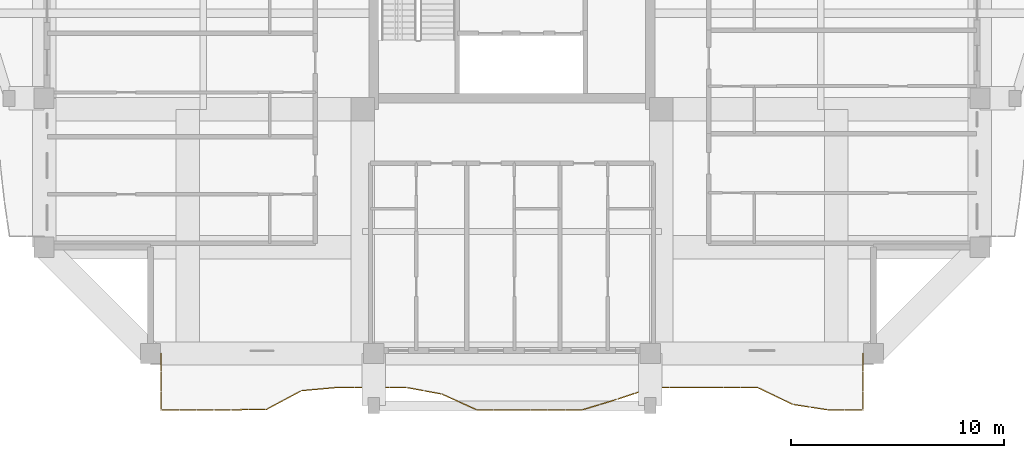
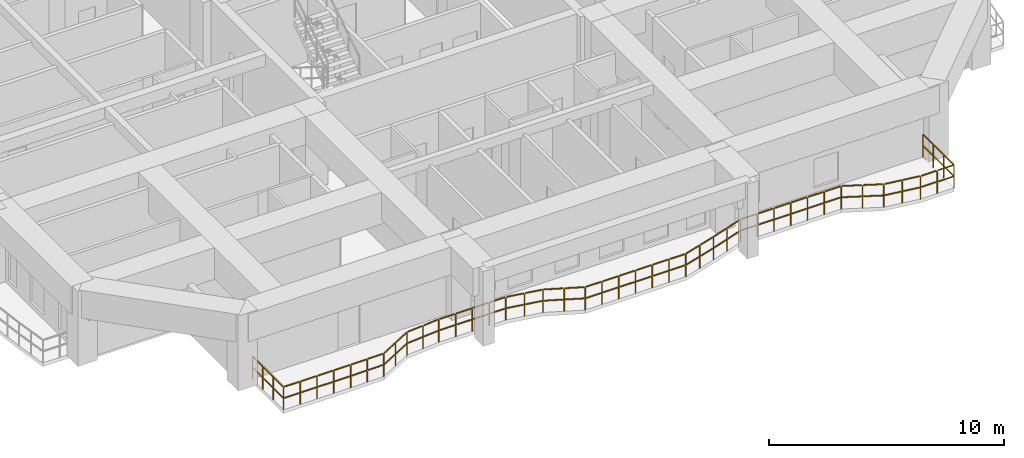
# One storey, part 11 of 15: 1 railing.
"""IFC4 building model written with IfcOpenShell, lengths in metres."""

from ifc_helpers import new_model, si_unit, direction, frame, origin, origin_2d, place, context, subcontext, project, spatial, rectangle, extrude, material, type_object, element, save


model = new_model("IFC4")

# Units and contexts
model_context = context("Model", 3, precision=1e-05, world=origin(), true_north=direction((0.0, 1.0)))
body_context = subcontext(model_context, "Body", "Model", "MODEL_VIEW")
ifc_project = project(units=[si_unit("LENGTHUNIT", "METRE"), si_unit("AREAUNIT", "SQUARE_METRE"), si_unit("VOLUMEUNIT", "CUBIC_METRE"), si_unit("PLANEANGLEUNIT", "RADIAN"), si_unit("MASSUNIT", "GRAM", prefix="KILO")], contexts=[model_context])

# Site, building, storey
site_placement = place(None, origin())
site = spatial("IfcSite", under=ifc_project, at=site_placement, CompositionType="ELEMENT")
building_placement = place(site_placement, origin())
building = spatial("IfcBuilding", under=site, at=building_placement, Name="Saelheon Loggia Tower", CompositionType="ELEMENT")
storey_placement = place(building_placement, frame((0.0, 0.0, 169.0)))
storey = spatial("IfcBuildingStorey", under=building, at=storey_placement, Name="L53", CompositionType="ELEMENT", Elevation=169.0)

# Railing
ifc_material = material(Name="Architectural Precast Concrete and Laminated Glass Guard", Category="concrete")
railing_type = type_object("IfcRailingType", Name="Guard_Loggia_RL_LOG", PredefinedType="BALUSTRADE", material=ifc_material)
railing_placement = place(storey_placement, frame((21.5, 6.0, 0.0)))
element("IfcRailing", 1, at=railing_placement, inside=storey, type_object=railing_type, Name="L53 South Loggia Balustrade", PredefinedType="BALUSTRADE", context=body_context, shape_type="SweptSolid", body=[
    extrude(rectangle(XDim=0.048095703125, YDim=0.048095703125, at=origin_2d()), frame((0.0, -0.033203125, 1.19580078125), z_axis=(0.0, -1.0, 0.0), x_axis=(1.0, 0.0, 0.0)), (0.0, 0.0, 1.0), 0.81689453125),
    extrude(rectangle(XDim=0.048095703125, YDim=0.048095703125, at=origin_2d()), frame((0.0, -0.033203125, 0.60986328125), z_axis=(0.0, -1.0, 0.0), x_axis=(1.0, 0.0, 0.0)), (0.0, 0.0, 1.0), 0.81689453125),
    extrude(rectangle(XDim=0.048095703125, YDim=0.048095703125, at=origin_2d()), frame((0.0, -0.91650390625, 1.19580078125), z_axis=(0.0, -1.0, 0.0), x_axis=(1.0, 0.0, 0.0)), (0.0, 0.0, 1.0), 0.81689453125),
    extrude(rectangle(XDim=0.048095703125, YDim=0.048095703125, at=origin_2d()), frame((0.0, -0.91650390625, 0.60986328125), z_axis=(0.0, -1.0, 0.0), x_axis=(1.0, 0.0, 0.0)), (0.0, 0.0, 1.0), 0.81689453125),
    extrude(rectangle(XDim=0.048095703125, YDim=0.048095703125, at=origin_2d()), frame((0.0, -1.7998046875, 1.19580078125), z_axis=(0.0, -1.0, 0.0), x_axis=(1.0, 0.0, 0.0)), (0.0, 0.0, 1.0), 0.81689453125),
    extrude(rectangle(XDim=0.048095703125, YDim=0.048095703125, at=origin_2d()), frame((0.0, -1.7998046875, 0.60986328125), z_axis=(0.0, -1.0, 0.0), x_axis=(1.0, 0.0, 0.0)), (0.0, 0.0, 1.0), 0.81689453125),
    extrude(rectangle(XDim=0.048095703125, YDim=0.048095703125, at=origin_2d()), frame((0.033203125, -2.64990234375, 1.19580078125), z_axis=(1.0, 0.0, 0.0), x_axis=(0.0, 1.0, 0.0)), (0.0, 0.0, 1.0), 0.758544921875),
    extrude(rectangle(XDim=0.048095703125, YDim=0.048095703125, at=origin_2d()), frame((0.033203125, -2.64990234375, 0.60986328125), z_axis=(1.0, 0.0, 0.0), x_axis=(0.0, 1.0, 0.0)), (0.0, 0.0, 1.0), 0.758544921875),
    extrude(rectangle(XDim=0.048095703125, YDim=0.048095703125, at=origin_2d()), frame((0.858154296875, -2.64990234375, 1.19580078125), z_axis=(1.0, 0.0, 0.0), x_axis=(0.0, 1.0, 0.0)), (0.0, 0.0, 1.0), 0.758544921875),
    extrude(rectangle(XDim=0.048095703125, YDim=0.048095703125, at=origin_2d()), frame((0.858154296875, -2.64990234375, 0.60986328125), z_axis=(1.0, 0.0, 0.0), x_axis=(0.0, 1.0, 0.0)), (0.0, 0.0, 1.0), 0.758544921875),
    extrude(rectangle(XDim=0.048095703125, YDim=0.048095703125, at=origin_2d()), frame((1.68310546875, -2.64990234375, 1.19580078125), z_axis=(1.0, 0.0, 0.0), x_axis=(0.0, 1.0, 0.0)), (0.0, 0.0, 1.0), 0.758544921875),
    extrude(rectangle(XDim=0.048095703125, YDim=0.048095703125, at=origin_2d()), frame((1.68310546875, -2.64990234375, 0.60986328125), z_axis=(1.0, 0.0, 0.0), x_axis=(0.0, 1.0, 0.0)), (0.0, 0.0, 1.0), 0.758544921875),
    extrude(rectangle(XDim=0.048095703125, YDim=0.048095703125, at=origin_2d()), frame((2.50830078125, -2.64990234375, 1.19580078125), z_axis=(1.0, 0.0, 0.0), x_axis=(0.0, 1.0, 0.0)), (0.0, 0.0, 1.0), 0.758544921875),
    extrude(rectangle(XDim=0.048095703125, YDim=0.048095703125, at=origin_2d()), frame((2.50830078125, -2.64990234375, 0.60986328125), z_axis=(1.0, 0.0, 0.0), x_axis=(0.0, 1.0, 0.0)), (0.0, 0.0, 1.0), 0.758544921875),
    extrude(rectangle(XDim=0.048095703125, YDim=0.048095703125, at=origin_2d()), frame((3.333251953125, -2.6494140625, 1.19580078125), z_axis=(0.999917145108, 0.012872564609, 0.0), x_axis=(-0.012872564609, 0.999917145108, 0.0)), (0.0, 0.0, 1.0), 0.758544921875),
    extrude(rectangle(XDim=0.048095703125, YDim=0.048095703125, at=origin_2d()), frame((3.333251953125, -2.6494140625, 0.60986328125), z_axis=(0.999917145108, 0.012872564609, 0.0), x_axis=(-0.012872564609, 0.999917145108, 0.0)), (0.0, 0.0, 1.0), 0.758544921875),
    extrude(rectangle(XDim=0.048095703125, YDim=0.048095703125, at=origin_2d()), frame((4.158203125, -2.638916015625, 1.19580078125), z_axis=(0.999917145108, 0.012872564609, 0.0), x_axis=(-0.012872564609, 0.999917145108, 0.0)), (0.0, 0.0, 1.0), 0.758544921875),
    extrude(rectangle(XDim=0.048095703125, YDim=0.048095703125, at=origin_2d()), frame((4.158203125, -2.638916015625, 0.60986328125), z_axis=(0.999917145108, 0.012872564609, 0.0), x_axis=(-0.012872564609, 0.999917145108, 0.0)), (0.0, 0.0, 1.0), 0.758544921875),
    extrude(rectangle(XDim=0.048095703125, YDim=0.048095703125, at=origin_2d()), frame((4.979248046875, -2.613037109375, 1.19580078125), z_axis=(0.882287890953, 0.470710184166, 0.0), x_axis=(-0.470710184166, 0.882287890953, 0.0)), (0.0, 0.0, 1.0), 0.86865234375),
    extrude(rectangle(XDim=0.048095703125, YDim=0.048095703125, at=origin_2d()), frame((4.979248046875, -2.613037109375, 0.60986328125), z_axis=(0.882287890953, 0.470710184166, 0.0), x_axis=(-0.470710184166, 0.882287890953, 0.0)), (0.0, 0.0, 1.0), 0.86865234375),
    extrude(rectangle(XDim=0.048095703125, YDim=0.048095703125, at=origin_2d()), frame((5.804443359375, -2.1728515625, 1.19580078125), z_axis=(0.882287890953, 0.470710184166, 0.0), x_axis=(-0.470710184166, 0.882287890953, 0.0)), (0.0, 0.0, 1.0), 0.86865234375),
    extrude(rectangle(XDim=0.048095703125, YDim=0.048095703125, at=origin_2d()), frame((5.804443359375, -2.1728515625, 0.60986328125), z_axis=(0.882287890953, 0.470710184166, 0.0), x_axis=(-0.470710184166, 0.882287890953, 0.0)), (0.0, 0.0, 1.0), 0.86865234375),
    extrude(rectangle(XDim=0.048095703125, YDim=0.048095703125, at=origin_2d()), frame((6.63330078125, -1.745361328125, 1.19580078125), z_axis=(0.995990475116, 0.089459339804, 0.0), x_axis=(-0.089459339804, 0.995990475116, 0.0)), (0.0, 0.0, 1.0), 0.76171875),
    extrude(rectangle(XDim=0.048095703125, YDim=0.048095703125, at=origin_2d()), frame((6.63330078125, -1.745361328125, 0.60986328125), z_axis=(0.995990475116, 0.089459339804, 0.0), x_axis=(-0.089459339804, 0.995990475116, 0.0)), (0.0, 0.0, 1.0), 0.76171875),
    extrude(rectangle(XDim=0.048095703125, YDim=0.048095703125, at=origin_2d()), frame((7.458251953125, -1.671142578125, 1.19580078125), z_axis=(0.995990475116, 0.089459339804, 0.0), x_axis=(-0.089459339804, 0.995990475116, 0.0)), (0.0, 0.0, 1.0), 0.76171875),
    extrude(rectangle(XDim=0.048095703125, YDim=0.048095703125, at=origin_2d()), frame((7.458251953125, -1.671142578125, 0.60986328125), z_axis=(0.995990475116, 0.089459339804, 0.0), x_axis=(-0.089459339804, 0.995990475116, 0.0)), (0.0, 0.0, 1.0), 0.76171875),
    extrude(rectangle(XDim=0.048095703125, YDim=0.048095703125, at=origin_2d()), frame((8.283203125, -1.60009765625, 1.19580078125), z_axis=(1.0, 0.0, 0.0), x_axis=(0.0, 1.0, 0.0)), (0.0, 0.0, 1.0), 0.758544921875),
    extrude(rectangle(XDim=0.048095703125, YDim=0.048095703125, at=origin_2d()), frame((8.283203125, -1.60009765625, 0.60986328125), z_axis=(1.0, 0.0, 0.0), x_axis=(0.0, 1.0, 0.0)), (0.0, 0.0, 1.0), 0.758544921875),
    extrude(rectangle(XDim=0.048095703125, YDim=0.048095703125, at=origin_2d()), frame((9.108154296875, -1.60009765625, 1.19580078125), z_axis=(1.0, 0.0, 0.0), x_axis=(0.0, 1.0, 0.0)), (0.0, 0.0, 1.0), 0.758544921875),
    extrude(rectangle(XDim=0.048095703125, YDim=0.048095703125, at=origin_2d()), frame((9.108154296875, -1.60009765625, 0.60986328125), z_axis=(1.0, 0.0, 0.0), x_axis=(0.0, 1.0, 0.0)), (0.0, 0.0, 1.0), 0.758544921875),
    extrude(rectangle(XDim=0.048095703125, YDim=0.048095703125, at=origin_2d()), frame((9.93310546875, -1.60009765625, 1.19580078125), z_axis=(1.0, 0.0, 0.0), x_axis=(0.0, 1.0, 0.0)), (0.0, 0.0, 1.0), 0.758544921875),
    extrude(rectangle(XDim=0.048095703125, YDim=0.048095703125, at=origin_2d()), frame((9.93310546875, -1.60009765625, 0.60986328125), z_axis=(1.0, 0.0, 0.0), x_axis=(0.0, 1.0, 0.0)), (0.0, 0.0, 1.0), 0.758544921875),
    extrude(rectangle(XDim=0.048095703125, YDim=0.048095703125, at=origin_2d()), frame((10.75830078125, -1.60009765625, 1.19580078125), z_axis=(1.0, 0.0, 0.0), x_axis=(0.0, 1.0, 0.0)), (0.0, 0.0, 1.0), 0.758544921875),
    extrude(rectangle(XDim=0.048095703125, YDim=0.048095703125, at=origin_2d()), frame((10.75830078125, -1.60009765625, 0.60986328125), z_axis=(1.0, 0.0, 0.0), x_axis=(0.0, 1.0, 0.0)), (0.0, 0.0, 1.0), 0.758544921875),
    extrude(rectangle(XDim=0.048095703125, YDim=0.048095703125, at=origin_2d()), frame((11.582763671875, -1.606201171875, 1.19580078125), z_axis=(0.983164102329, -0.182724787293, 0.0), x_axis=(0.182724787293, 0.983164102329, 0.0)), (0.0, 0.0, 1.0), 0.772705078125),
    extrude(rectangle(XDim=0.048095703125, YDim=0.048095703125, at=origin_2d()), frame((11.582763671875, -1.606201171875, 0.60986328125), z_axis=(0.983164102329, -0.182724787293, 0.0), x_axis=(0.182724787293, 0.983164102329, 0.0)), (0.0, 0.0, 1.0), 0.772705078125),
    extrude(rectangle(XDim=0.048095703125, YDim=0.048095703125, at=origin_2d()), frame((12.40771484375, -1.759521484375, 1.19580078125), z_axis=(0.983164102329, -0.182724787293, 0.0), x_axis=(0.182724787293, 0.983164102329, 0.0)), (0.0, 0.0, 1.0), 0.772705078125),
    extrude(rectangle(XDim=0.048095703125, YDim=0.048095703125, at=origin_2d()), frame((12.40771484375, -1.759521484375, 0.60986328125), z_axis=(0.983164102329, -0.182724787293, 0.0), x_axis=(0.182724787293, 0.983164102329, 0.0)), (0.0, 0.0, 1.0), 0.772705078125),
    extrude(rectangle(XDim=0.048095703125, YDim=0.048095703125, at=origin_2d()), frame((13.230224609375, -1.92041015625, 1.19580078125), z_axis=(0.911797780873, -0.41063950954, 0.0), x_axis=(0.41063950954, 0.911797780873, 0.0)), (0.0, 0.0, 1.0), 0.83837890625),
    extrude(rectangle(XDim=0.048095703125, YDim=0.048095703125, at=origin_2d()), frame((13.230224609375, -1.92041015625, 0.60986328125), z_axis=(0.911797780873, -0.41063950954, 0.0), x_axis=(0.41063950954, 0.911797780873, 0.0)), (0.0, 0.0, 1.0), 0.83837890625),
    extrude(rectangle(XDim=0.048095703125, YDim=0.048095703125, at=origin_2d()), frame((14.055419921875, -2.2919921875, 1.19580078125), z_axis=(0.911797780873, -0.41063950954, 0.0), x_axis=(0.41063950954, 0.911797780873, 0.0)), (0.0, 0.0, 1.0), 0.83837890625),
    extrude(rectangle(XDim=0.048095703125, YDim=0.048095703125, at=origin_2d()), frame((14.055419921875, -2.2919921875, 0.60986328125), z_axis=(0.911797780873, -0.41063950954, 0.0), x_axis=(0.41063950954, 0.911797780873, 0.0)), (0.0, 0.0, 1.0), 0.83837890625),
    extrude(rectangle(XDim=0.048095703125, YDim=0.048095703125, at=origin_2d()), frame((14.88330078125, -2.64990234375, 1.19580078125), z_axis=(1.0, 0.0, 0.0), x_axis=(0.0, 1.0, 0.0)), (0.0, 0.0, 1.0), 0.758544921875),
    extrude(rectangle(XDim=0.048095703125, YDim=0.048095703125, at=origin_2d()), frame((14.88330078125, -2.64990234375, 0.60986328125), z_axis=(1.0, 0.0, 0.0), x_axis=(0.0, 1.0, 0.0)), (0.0, 0.0, 1.0), 0.758544921875),
    extrude(rectangle(XDim=0.048095703125, YDim=0.048095703125, at=origin_2d()), frame((15.708251953125, -2.64990234375, 1.19580078125), z_axis=(1.0, 0.0, 0.0), x_axis=(0.0, 1.0, 0.0)), (0.0, 0.0, 1.0), 0.758544921875),
    extrude(rectangle(XDim=0.048095703125, YDim=0.048095703125, at=origin_2d()), frame((15.708251953125, -2.64990234375, 0.60986328125), z_axis=(1.0, 0.0, 0.0), x_axis=(0.0, 1.0, 0.0)), (0.0, 0.0, 1.0), 0.758544921875),
    extrude(rectangle(XDim=0.048095703125, YDim=0.048095703125, at=origin_2d()), frame((16.533203125, -2.64990234375, 1.19580078125), z_axis=(1.0, 0.0, 0.0), x_axis=(0.0, 1.0, 0.0)), (0.0, 0.0, 1.0), 0.758544921875),
    extrude(rectangle(XDim=0.048095703125, YDim=0.048095703125, at=origin_2d()), frame((16.533203125, -2.64990234375, 0.60986328125), z_axis=(1.0, 0.0, 0.0), x_axis=(0.0, 1.0, 0.0)), (0.0, 0.0, 1.0), 0.758544921875),
    extrude(rectangle(XDim=0.048095703125, YDim=0.048095703125, at=origin_2d()), frame((17.358154296875, -2.64990234375, 1.19580078125), z_axis=(1.0, 0.0, 0.0), x_axis=(0.0, 1.0, 0.0)), (0.0, 0.0, 1.0), 0.758544921875),
    extrude(rectangle(XDim=0.048095703125, YDim=0.048095703125, at=origin_2d()), frame((17.358154296875, -2.64990234375, 0.60986328125), z_axis=(1.0, 0.0, 0.0), x_axis=(0.0, 1.0, 0.0)), (0.0, 0.0, 1.0), 0.758544921875),
    extrude(rectangle(XDim=0.048095703125, YDim=0.048095703125, at=origin_2d()), frame((18.18310546875, -2.64990234375, 1.19580078125), z_axis=(1.0, 0.0, 0.0), x_axis=(0.0, 1.0, 0.0)), (0.0, 0.0, 1.0), 0.758544921875),
    extrude(rectangle(XDim=0.048095703125, YDim=0.048095703125, at=origin_2d()), frame((18.18310546875, -2.64990234375, 0.60986328125), z_axis=(1.0, 0.0, 0.0), x_axis=(0.0, 1.0, 0.0)), (0.0, 0.0, 1.0), 0.758544921875),
    extrude(rectangle(XDim=0.048095703125, YDim=0.048095703125, at=origin_2d()), frame((19.00830078125, -2.64990234375, 1.19580078125), z_axis=(1.0, 0.0, 0.0), x_axis=(0.0, 1.0, 0.0)), (0.0, 0.0, 1.0), 0.758544921875),
    extrude(rectangle(XDim=0.048095703125, YDim=0.048095703125, at=origin_2d()), frame((19.00830078125, -2.64990234375, 0.60986328125), z_axis=(1.0, 0.0, 0.0), x_axis=(0.0, 1.0, 0.0)), (0.0, 0.0, 1.0), 0.758544921875),
    extrude(rectangle(XDim=0.048095703125, YDim=0.048095703125, at=origin_2d()), frame((19.831787109375, -2.640380859375, 1.19580078125), z_axis=(0.957019640205, 0.290023116771, 0.0), x_axis=(-0.290023116771, 0.957019640205, 0.0)), (0.0, 0.0, 1.0), 0.79541015625),
    extrude(rectangle(XDim=0.048095703125, YDim=0.048095703125, at=origin_2d()), frame((19.831787109375, -2.640380859375, 0.60986328125), z_axis=(0.957019640205, 0.290023116771, 0.0), x_axis=(-0.290023116771, 0.957019640205, 0.0)), (0.0, 0.0, 1.0), 0.79541015625),
    extrude(rectangle(XDim=0.048095703125, YDim=0.048095703125, at=origin_2d()), frame((20.65673828125, -2.390380859375, 1.19580078125), z_axis=(0.957019640205, 0.290023116771, 0.0), x_axis=(-0.290023116771, 0.957019640205, 0.0)), (0.0, 0.0, 1.0), 0.79541015625),
    extrude(rectangle(XDim=0.048095703125, YDim=0.048095703125, at=origin_2d()), frame((20.65673828125, -2.390380859375, 0.60986328125), z_axis=(0.957019640205, 0.290023116771, 0.0), x_axis=(-0.290023116771, 0.957019640205, 0.0)), (0.0, 0.0, 1.0), 0.79541015625),
    extrude(rectangle(XDim=0.048095703125, YDim=0.048095703125, at=origin_2d()), frame((21.4814453125, -2.139404296875, 1.19580078125), z_axis=(0.948725399067, 0.316101434931, 0.0), x_axis=(-0.316101434931, 0.948725399067, 0.0)), (0.0, 0.0, 1.0), 0.80322265625),
    extrude(rectangle(XDim=0.048095703125, YDim=0.048095703125, at=origin_2d()), frame((21.4814453125, -2.139404296875, 0.60986328125), z_axis=(0.948725399067, 0.316101434931, 0.0), x_axis=(-0.316101434931, 0.948725399067, 0.0)), (0.0, 0.0, 1.0), 0.80322265625),
    extrude(rectangle(XDim=0.048095703125, YDim=0.048095703125, at=origin_2d()), frame((22.306640625, -1.864501953125, 1.19580078125), z_axis=(0.948725399067, 0.316101434931, 0.0), x_axis=(-0.316101434931, 0.948725399067, 0.0)), (0.0, 0.0, 1.0), 0.80322265625),
    extrude(rectangle(XDim=0.048095703125, YDim=0.048095703125, at=origin_2d()), frame((22.306640625, -1.864501953125, 0.60986328125), z_axis=(0.948725399067, 0.316101434931, 0.0), x_axis=(-0.316101434931, 0.948725399067, 0.0)), (0.0, 0.0, 1.0), 0.80322265625),
    extrude(rectangle(XDim=0.048095703125, YDim=0.048095703125, at=origin_2d()), frame((23.13330078125, -1.60009765625, 1.19580078125), z_axis=(1.0, 0.0, 0.0), x_axis=(0.0, 1.0, 0.0)), (0.0, 0.0, 1.0), 0.758544921875),
    extrude(rectangle(XDim=0.048095703125, YDim=0.048095703125, at=origin_2d()), frame((23.13330078125, -1.60009765625, 0.60986328125), z_axis=(1.0, 0.0, 0.0), x_axis=(0.0, 1.0, 0.0)), (0.0, 0.0, 1.0), 0.758544921875),
    extrude(rectangle(XDim=0.048095703125, YDim=0.048095703125, at=origin_2d()), frame((23.958251953125, -1.60009765625, 1.19580078125), z_axis=(1.0, 0.0, 0.0), x_axis=(0.0, 1.0, 0.0)), (0.0, 0.0, 1.0), 0.758544921875),
    extrude(rectangle(XDim=0.048095703125, YDim=0.048095703125, at=origin_2d()), frame((23.958251953125, -1.60009765625, 0.60986328125), z_axis=(1.0, 0.0, 0.0), x_axis=(0.0, 1.0, 0.0)), (0.0, 0.0, 1.0), 0.758544921875),
    extrude(rectangle(XDim=0.048095703125, YDim=0.048095703125, at=origin_2d()), frame((24.783203125, -1.60009765625, 1.19580078125), z_axis=(1.0, 0.0, 0.0), x_axis=(0.0, 1.0, 0.0)), (0.0, 0.0, 1.0), 0.758544921875),
    extrude(rectangle(XDim=0.048095703125, YDim=0.048095703125, at=origin_2d()), frame((24.783203125, -1.60009765625, 0.60986328125), z_axis=(1.0, 0.0, 0.0), x_axis=(0.0, 1.0, 0.0)), (0.0, 0.0, 1.0), 0.758544921875),
    extrude(rectangle(XDim=0.048095703125, YDim=0.048095703125, at=origin_2d()), frame((25.608154296875, -1.60009765625, 1.19580078125), z_axis=(1.0, 0.0, 0.0), x_axis=(0.0, 1.0, 0.0)), (0.0, 0.0, 1.0), 0.758544921875),
    extrude(rectangle(XDim=0.048095703125, YDim=0.048095703125, at=origin_2d()), frame((25.608154296875, -1.60009765625, 0.60986328125), z_axis=(1.0, 0.0, 0.0), x_axis=(0.0, 1.0, 0.0)), (0.0, 0.0, 1.0), 0.758544921875),
    extrude(rectangle(XDim=0.048095703125, YDim=0.048095703125, at=origin_2d()), frame((26.43310546875, -1.60009765625, 1.19580078125), z_axis=(1.0, 0.0, 0.0), x_axis=(0.0, 1.0, 0.0)), (0.0, 0.0, 1.0), 0.758544921875),
    extrude(rectangle(XDim=0.048095703125, YDim=0.048095703125, at=origin_2d()), frame((26.43310546875, -1.60009765625, 0.60986328125), z_axis=(1.0, 0.0, 0.0), x_axis=(0.0, 1.0, 0.0)), (0.0, 0.0, 1.0), 0.758544921875),
    extrude(rectangle(XDim=0.048095703125, YDim=0.048095703125, at=origin_2d()), frame((27.25830078125, -1.60009765625, 1.19580078125), z_axis=(1.0, 0.0, 0.0), x_axis=(0.0, 1.0, 0.0)), (0.0, 0.0, 1.0), 0.758544921875),
    extrude(rectangle(XDim=0.048095703125, YDim=0.048095703125, at=origin_2d()), frame((27.25830078125, -1.60009765625, 0.60986328125), z_axis=(1.0, 0.0, 0.0), x_axis=(0.0, 1.0, 0.0)), (0.0, 0.0, 1.0), 0.758544921875),
    extrude(rectangle(XDim=0.048095703125, YDim=0.048095703125, at=origin_2d()), frame((28.080078125, -1.614501953125, 1.19580078125), z_axis=(0.901254427536, -0.43329026858, 0.0), x_axis=(0.43329026858, 0.901254427536, 0.0)), (0.0, 0.0, 1.0), 0.848876953125),
    extrude(rectangle(XDim=0.048095703125, YDim=0.048095703125, at=origin_2d()), frame((28.080078125, -1.614501953125, 0.60986328125), z_axis=(0.901254427536, -0.43329026858, 0.0), x_axis=(0.43329026858, 0.901254427536, 0.0)), (0.0, 0.0, 1.0), 0.848876953125),
    extrude(rectangle(XDim=0.048095703125, YDim=0.048095703125, at=origin_2d()), frame((28.905029296875, -2.010986328125, 1.19580078125), z_axis=(0.901254427536, -0.43329026858, 0.0), x_axis=(0.43329026858, 0.901254427536, 0.0)), (0.0, 0.0, 1.0), 0.848876953125),
    extrude(rectangle(XDim=0.048095703125, YDim=0.048095703125, at=origin_2d()), frame((28.905029296875, -2.010986328125, 0.60986328125), z_axis=(0.901254427536, -0.43329026858, 0.0), x_axis=(0.43329026858, 0.901254427536, 0.0)), (0.0, 0.0, 1.0), 0.848876953125),
    extrude(rectangle(XDim=0.048095703125, YDim=0.048095703125, at=origin_2d()), frame((29.73291015625, -2.3984375, 1.19580078125), z_axis=(0.988125348909, -0.153649910002, 0.0), x_axis=(0.153649910002, 0.988125348909, 0.0)), (0.0, 0.0, 1.0), 0.7685546875),
    extrude(rectangle(XDim=0.048095703125, YDim=0.048095703125, at=origin_2d()), frame((29.73291015625, -2.3984375, 0.60986328125), z_axis=(0.988125348909, -0.153649910002, 0.0), x_axis=(0.153649910002, 0.988125348909, 0.0)), (0.0, 0.0, 1.0), 0.7685546875),
    extrude(rectangle(XDim=0.048095703125, YDim=0.048095703125, at=origin_2d()), frame((30.557861328125, -2.526611328125, 1.19580078125), z_axis=(0.988125348909, -0.153649910002, 0.0), x_axis=(0.153649910002, 0.988125348909, 0.0)), (0.0, 0.0, 1.0), 0.7685546875),
    extrude(rectangle(XDim=0.048095703125, YDim=0.048095703125, at=origin_2d()), frame((30.557861328125, -2.526611328125, 0.60986328125), z_axis=(0.988125348909, -0.153649910002, 0.0), x_axis=(0.153649910002, 0.988125348909, 0.0)), (0.0, 0.0, 1.0), 0.7685546875),
    extrude(rectangle(XDim=0.048095703125, YDim=0.048095703125, at=origin_2d()), frame((31.38330078125, -2.64990234375, 1.19580078125), z_axis=(1.0, 0.0, 0.0), x_axis=(0.0, 1.0, 0.0)), (0.0, 0.0, 1.0), 0.758544921875),
    extrude(rectangle(XDim=0.048095703125, YDim=0.048095703125, at=origin_2d()), frame((31.38330078125, -2.64990234375, 0.60986328125), z_axis=(1.0, 0.0, 0.0), x_axis=(0.0, 1.0, 0.0)), (0.0, 0.0, 1.0), 0.758544921875),
    extrude(rectangle(XDim=0.048095703125, YDim=0.048095703125, at=origin_2d()), frame((32.208251953125, -2.64990234375, 1.19580078125), z_axis=(1.0, 0.0, 0.0), x_axis=(0.0, 1.0, 0.0)), (0.0, 0.0, 1.0), 0.758544921875),
    extrude(rectangle(XDim=0.048095703125, YDim=0.048095703125, at=origin_2d()), frame((32.208251953125, -2.64990234375, 0.60986328125), z_axis=(1.0, 0.0, 0.0), x_axis=(0.0, 1.0, 0.0)), (0.0, 0.0, 1.0), 0.758544921875),
    extrude(rectangle(XDim=0.048095703125, YDim=0.048095703125, at=origin_2d()), frame((33.0, -2.61669921875, 1.19580078125), z_axis=(0.0, 1.0, 0.0), x_axis=(-1.0, 0.0, 0.0)), (0.0, 0.0, 1.0), 0.81689453125),
    extrude(rectangle(XDim=0.048095703125, YDim=0.048095703125, at=origin_2d()), frame((33.0, -2.61669921875, 0.60986328125), z_axis=(0.0, 1.0, 0.0), x_axis=(-1.0, 0.0, 0.0)), (0.0, 0.0, 1.0), 0.81689453125),
    extrude(rectangle(XDim=0.048095703125, YDim=0.048095703125, at=origin_2d()), frame((33.0, -1.7333984375, 1.19580078125), z_axis=(0.0, 1.0, 0.0), x_axis=(-1.0, 0.0, 0.0)), (0.0, 0.0, 1.0), 0.81689453125),
    extrude(rectangle(XDim=0.048095703125, YDim=0.048095703125, at=origin_2d()), frame((33.0, -1.7333984375, 0.60986328125), z_axis=(0.0, 1.0, 0.0), x_axis=(-1.0, 0.0, 0.0)), (0.0, 0.0, 1.0), 0.81689453125),
    extrude(rectangle(XDim=0.048095703125, YDim=0.048095703125, at=origin_2d()), frame((33.0, -0.85009765625, 1.19580078125), z_axis=(0.0, 1.0, 0.0), x_axis=(-1.0, 0.0, 0.0)), (0.0, 0.0, 1.0), 0.81689453125),
    extrude(rectangle(XDim=0.048095703125, YDim=0.048095703125, at=origin_2d()), frame((33.0, -0.85009765625, 0.60986328125), z_axis=(0.0, 1.0, 0.0), x_axis=(-1.0, 0.0, 0.0)), (0.0, 0.0, 1.0), 0.81689453125),
    extrude(rectangle(XDim=0.0419921875, YDim=0.0419921875, at=origin_2d()), origin(), (0.0, 0.0, 1.0), 1.16796875),
    extrude(rectangle(XDim=0.0419921875, YDim=0.0419921875, at=origin_2d()), frame((0.0, -0.88330078125, 0.0)), (0.0, 0.0, 1.0), 1.16796875),
    extrude(rectangle(XDim=0.0419921875, YDim=0.0419921875, at=origin_2d()), frame((0.0, -1.7666015625, 0.0)), (0.0, 0.0, 1.0), 1.16796875),
    extrude(rectangle(XDim=0.0419921875, YDim=0.0419921875, at=origin_2d()), frame((0.0, -2.64990234375, 0.0)), (0.0, 0.0, 1.0), 1.16796875),
    extrude(rectangle(XDim=0.0419921875, YDim=0.0419921875, at=origin_2d()), frame((0.824951171875, -2.64990234375, 0.0)), (0.0, 0.0, 1.0), 1.16796875),
    extrude(rectangle(XDim=0.0419921875, YDim=0.0419921875, at=origin_2d()), frame((1.64990234375, -2.64990234375, 0.0)), (0.0, 0.0, 1.0), 1.16796875),
    extrude(rectangle(XDim=0.0419921875, YDim=0.0419921875, at=origin_2d()), frame((2.47509765625, -2.64990234375, 0.0)), (0.0, 0.0, 1.0), 1.16796875),
    extrude(rectangle(XDim=0.0419921875, YDim=0.0419921875, at=origin_2d()), frame((3.300048828125, -2.64990234375, 0.0)), (0.0, 0.0, 1.0), 1.16796875),
    extrude(rectangle(XDim=0.0419921875, YDim=0.0419921875, at=origin_2d()), frame((4.125, -2.63916015625, 0.0)), (0.0, 0.0, 1.0), 1.16796875),
    extrude(rectangle(XDim=0.0419921875, YDim=0.0419921875, at=origin_2d()), frame((4.949951171875, -2.628662109375, 0.0)), (0.0, 0.0, 1.0), 1.16796875),
    extrude(rectangle(XDim=0.0419921875, YDim=0.0419921875, at=origin_2d()), frame((5.77490234375, -2.1884765625, 0.0)), (0.0, 0.0, 1.0), 1.16796875),
    extrude(rectangle(XDim=0.0419921875, YDim=0.0419921875, at=origin_2d()), frame((6.60009765625, -1.748291015625, 0.0)), (0.0, 0.0, 1.0), 1.16796875),
    extrude(rectangle(XDim=0.0419921875, YDim=0.0419921875, at=origin_2d()), frame((7.425048828125, -1.67431640625, 0.0)), (0.0, 0.0, 1.0), 1.16796875),
    extrude(rectangle(XDim=0.0419921875, YDim=0.0419921875, at=origin_2d()), frame((8.25, -1.60009765625, 0.0)), (0.0, 0.0, 1.0), 1.16796875),
    extrude(rectangle(XDim=0.0419921875, YDim=0.0419921875, at=origin_2d()), frame((9.074951171875, -1.60009765625, 0.0)), (0.0, 0.0, 1.0), 1.16796875),
    extrude(rectangle(XDim=0.0419921875, YDim=0.0419921875, at=origin_2d()), frame((9.89990234375, -1.60009765625, 0.0)), (0.0, 0.0, 1.0), 1.16796875),
    extrude(rectangle(XDim=0.0419921875, YDim=0.0419921875, at=origin_2d()), frame((10.72509765625, -1.60009765625, 0.0)), (0.0, 0.0, 1.0), 1.16796875),
    extrude(rectangle(XDim=0.0419921875, YDim=0.0419921875, at=origin_2d()), frame((11.550048828125, -1.60009765625, 0.0)), (0.0, 0.0, 1.0), 1.16796875),
    extrude(rectangle(XDim=0.0419921875, YDim=0.0419921875, at=origin_2d()), frame((12.375, -1.75341796875, 0.0)), (0.0, 0.0, 1.0), 1.16796875),
    extrude(rectangle(XDim=0.0419921875, YDim=0.0419921875, at=origin_2d()), frame((13.199951171875, -1.90673828125, 0.0)), (0.0, 0.0, 1.0), 1.16796875),
    extrude(rectangle(XDim=0.0419921875, YDim=0.0419921875, at=origin_2d()), frame((14.02490234375, -2.2783203125, 0.0)), (0.0, 0.0, 1.0), 1.16796875),
    extrude(rectangle(XDim=0.0419921875, YDim=0.0419921875, at=origin_2d()), frame((14.85009765625, -2.64990234375, 0.0)), (0.0, 0.0, 1.0), 1.16796875),
    extrude(rectangle(XDim=0.0419921875, YDim=0.0419921875, at=origin_2d()), frame((15.675048828125, -2.64990234375, 0.0)), (0.0, 0.0, 1.0), 1.16796875),
    extrude(rectangle(XDim=0.0419921875, YDim=0.0419921875, at=origin_2d()), frame((16.5, -2.64990234375, 0.0)), (0.0, 0.0, 1.0), 1.16796875),
    extrude(rectangle(XDim=0.0419921875, YDim=0.0419921875, at=origin_2d()), frame((17.324951171875, -2.64990234375, 0.0)), (0.0, 0.0, 1.0), 1.16796875),
    extrude(rectangle(XDim=0.0419921875, YDim=0.0419921875, at=origin_2d()), frame((18.14990234375, -2.64990234375, 0.0)), (0.0, 0.0, 1.0), 1.16796875),
    extrude(rectangle(XDim=0.0419921875, YDim=0.0419921875, at=origin_2d()), frame((18.97509765625, -2.64990234375, 0.0)), (0.0, 0.0, 1.0), 1.16796875),
    extrude(rectangle(XDim=0.0419921875, YDim=0.0419921875, at=origin_2d()), frame((19.800048828125, -2.64990234375, 0.0)), (0.0, 0.0, 1.0), 1.16796875),
    extrude(rectangle(XDim=0.0419921875, YDim=0.0419921875, at=origin_2d()), frame((20.625, -2.39990234375, 0.0)), (0.0, 0.0, 1.0), 1.16796875),
    extrude(rectangle(XDim=0.0419921875, YDim=0.0419921875, at=origin_2d()), frame((21.449951171875, -2.14990234375, 0.0)), (0.0, 0.0, 1.0), 1.16796875),
    extrude(rectangle(XDim=0.0419921875, YDim=0.0419921875, at=origin_2d()), frame((22.27490234375, -1.875, 0.0)), (0.0, 0.0, 1.0), 1.16796875),
    extrude(rectangle(XDim=0.0419921875, YDim=0.0419921875, at=origin_2d()), frame((23.10009765625, -1.60009765625, 0.0)), (0.0, 0.0, 1.0), 1.16796875),
    extrude(rectangle(XDim=0.0419921875, YDim=0.0419921875, at=origin_2d()), frame((23.925048828125, -1.60009765625, 0.0)), (0.0, 0.0, 1.0), 1.16796875),
    extrude(rectangle(XDim=0.0419921875, YDim=0.0419921875, at=origin_2d()), frame((24.75, -1.60009765625, 0.0)), (0.0, 0.0, 1.0), 1.16796875),
    extrude(rectangle(XDim=0.0419921875, YDim=0.0419921875, at=origin_2d()), frame((25.574951171875, -1.60009765625, 0.0)), (0.0, 0.0, 1.0), 1.16796875),
    extrude(rectangle(XDim=0.0419921875, YDim=0.0419921875, at=origin_2d()), frame((26.39990234375, -1.60009765625, 0.0)), (0.0, 0.0, 1.0), 1.16796875),
    extrude(rectangle(XDim=0.0419921875, YDim=0.0419921875, at=origin_2d()), frame((27.22509765625, -1.60009765625, 0.0)), (0.0, 0.0, 1.0), 1.16796875),
    extrude(rectangle(XDim=0.0419921875, YDim=0.0419921875, at=origin_2d()), frame((28.050048828125, -1.60009765625, 0.0)), (0.0, 0.0, 1.0), 1.16796875),
    extrude(rectangle(XDim=0.0419921875, YDim=0.0419921875, at=origin_2d()), frame((28.875, -1.99658203125, 0.0)), (0.0, 0.0, 1.0), 1.16796875),
    extrude(rectangle(XDim=0.0419921875, YDim=0.0419921875, at=origin_2d()), frame((29.699951171875, -2.393310546875, 0.0)), (0.0, 0.0, 1.0), 1.16796875),
    extrude(rectangle(XDim=0.0419921875, YDim=0.0419921875, at=origin_2d()), frame((30.52490234375, -2.521484375, 0.0)), (0.0, 0.0, 1.0), 1.16796875),
    extrude(rectangle(XDim=0.0419921875, YDim=0.0419921875, at=origin_2d()), frame((31.35009765625, -2.64990234375, 0.0)), (0.0, 0.0, 1.0), 1.16796875),
    extrude(rectangle(XDim=0.0419921875, YDim=0.0419921875, at=origin_2d()), frame((32.175048828125, -2.64990234375, 0.0)), (0.0, 0.0, 1.0), 1.16796875),
    extrude(rectangle(XDim=0.0419921875, YDim=0.0419921875, at=origin_2d()), frame((33.0, -2.64990234375, 0.0)), (0.0, 0.0, 1.0), 1.16796875),
    extrude(rectangle(XDim=0.0419921875, YDim=0.0419921875, at=origin_2d()), frame((33.0, -1.7666015625, 0.0)), (0.0, 0.0, 1.0), 1.16796875),
    extrude(rectangle(XDim=0.0419921875, YDim=0.0419921875, at=origin_2d()), frame((33.0, -0.88330078125, 0.0)), (0.0, 0.0, 1.0), 1.16796875),
    extrude(rectangle(XDim=0.0419921875, YDim=0.0419921875, at=origin_2d()), frame((33.0, 0.0, 0.0)), (0.0, 0.0, 1.0), 1.16796875),
])

save(model, "model.ifc")
